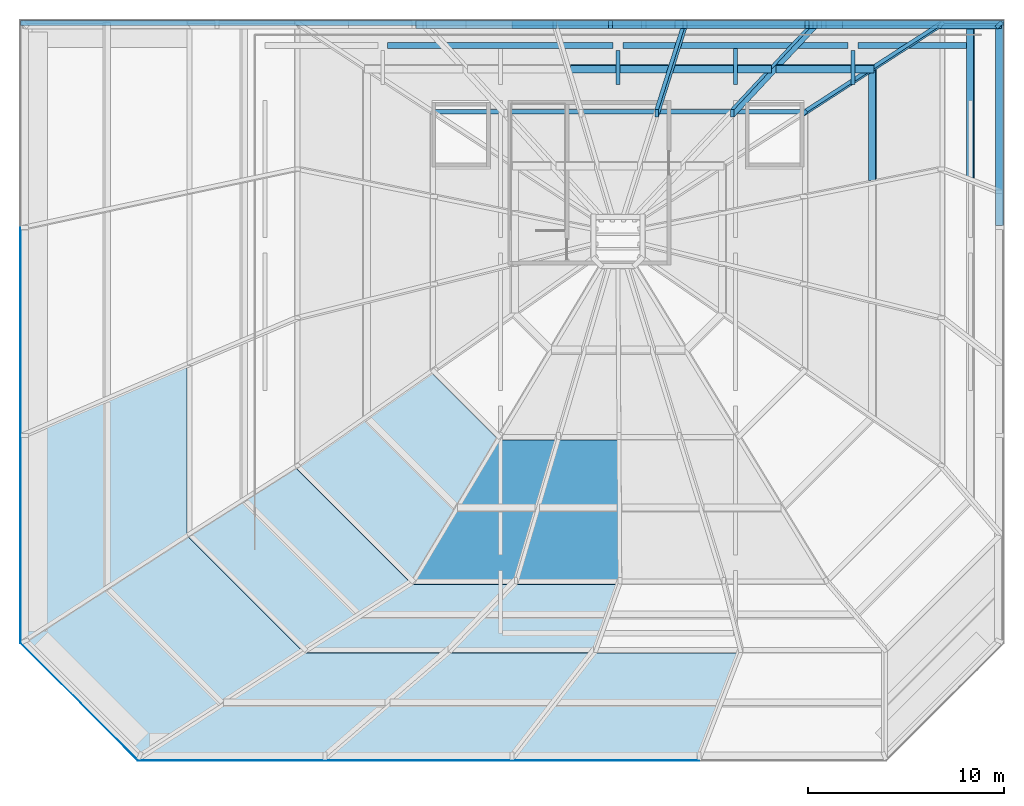
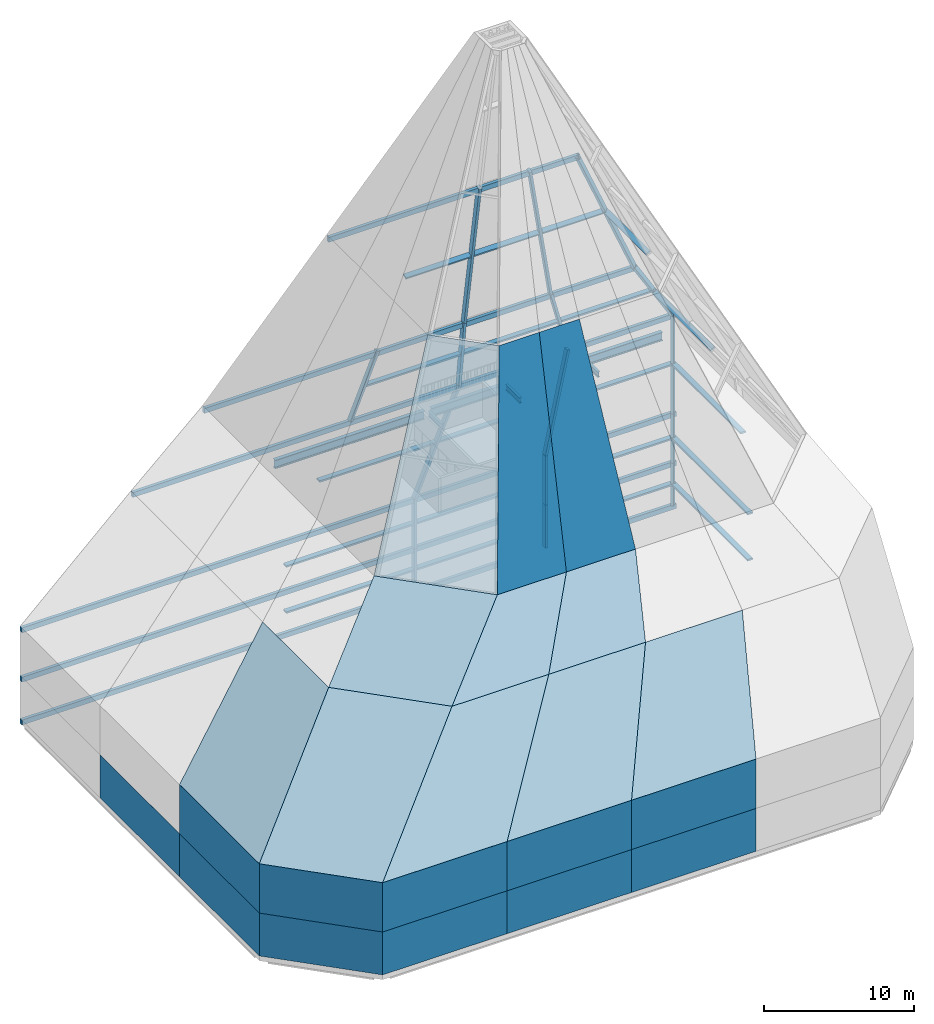
# One storey, part 4 of 7: 42 members, 22 plates, 6 beams.
"""IFC4 building model written with IfcOpenShell, lengths in metres."""

import ifcopenshell
import ifcopenshell.guid

model = None  # the IFC model being written
_history = None  # IfcOwnerHistory: only IFC2X3 demands one
_inside = {}  # id of a spatial element -> (the spatial element, [elements in it])
_under = {}  # id of a project, library or spatial element -> (it, [spatial elements below it])
_declared = {}  # id of a project -> (the project, [libraries it declares])
_typed = {}  # id of a type object -> (the type object, [elements of that type])
_made_of = {}  # id of a material, layer set ... -> (it, [elements and type objects made of it])


def new_model(schema):
    """Start an empty IFC model of exactly this schema.

    Asked for "IFC4X3", IfcOpenShell would pick the latest addendum, in which some entities
    have other attributes; the version numbers below select the first issue.
    IFC2X3 requires an IfcOwnerHistory on every rooted entity: one is made here for all.
    """
    global model, _history
    if schema == "IFC4X3":
        model = ifcopenshell.file(schema_version=(4, 3, 0, 0))
    else:
        model = ifcopenshell.file(schema=schema)
    _inside.clear()
    _under.clear()
    _declared.clear()
    _typed.clear()
    _made_of.clear()
    _history = None
    if model.schema == "IFC2X3":
        org = make("IfcOrganization", Name="unknown")
        user = make(
            "IfcPersonAndOrganization",
            ThePerson=make("IfcPerson", FamilyName="unknown"),
            TheOrganization=org,
        )
        app = make(
            "IfcApplication",
            ApplicationDeveloper=org,
            Version="unknown",
            ApplicationFullName="unknown",
            ApplicationIdentifier="unknown",
        )
        _history = make(
            "IfcOwnerHistory",
            OwningUser=user,
            OwningApplication=app,
            ChangeAction="ADDED",
            CreationDate=0,
        )
    return model


def make(cls, **values):
    """One entity of the class cls with the attributes given. An attribute that is None is left unset."""
    return model.create_entity(
        cls, **{name: value for name, value in values.items() if value is not None}
    )


def rooted(cls, **values):
    """An entity with a GlobalId (a new one), such as an element, a storey or a relation."""
    return make(cls, GlobalId=ifcopenshell.guid.new(), OwnerHistory=_history, **values)


def si_unit(unit_type, name, prefix=None):
    """IfcSIUnit, for example si_unit("LENGTHUNIT", "METRE", prefix="MILLI")."""
    return make("IfcSIUnit", UnitType=unit_type, Prefix=prefix, Name=name)


def assignment(units):
    """IfcUnitAssignment: the units of a project."""
    return None if units is None else make("IfcUnitAssignment", Units=units)


def point(xyz):
    """IfcCartesianPoint."""
    return None if xyz is None else make("IfcCartesianPoint", Coordinates=xyz)


def direction(xyz):
    """IfcDirection."""
    return None if xyz is None else make("IfcDirection", DirectionRatios=xyz)


def frame(location, z_axis=None, x_axis=None):
    """IfcAxis2Placement3D, a coordinate frame: its origin and axes. An axis left out is left unset."""
    return make(
        "IfcAxis2Placement3D",
        Location=point(location),
        Axis=direction(z_axis),
        RefDirection=direction(x_axis),
    )


def frame_2d(location, x_axis=None):
    """IfcAxis2Placement2D, a coordinate frame in the plane: its origin and x axis."""
    return make(
        "IfcAxis2Placement2D", Location=point(location), RefDirection=direction(x_axis)
    )


def origin():
    """The frame at (0, 0, 0) with its axes left unset."""
    return frame((0.0, 0.0, 0.0))


def origin_2d():
    """The frame at (0, 0) in the plane with its x axis left unset."""
    return frame_2d((0.0, 0.0))


def place(relative_to, where):
    """IfcLocalPlacement: puts the frame where relative to a parent placement (None: the world)."""
    return make(
        "IfcLocalPlacement", PlacementRelTo=relative_to, RelativePlacement=where
    )


def context(
    kind, dimensions, precision=None, world=None, true_north=None, identifier=None
):
    """IfcGeometricRepresentationContext, for example the 3D "Model" context."""
    return make(
        "IfcGeometricRepresentationContext",
        ContextIdentifier=identifier,
        ContextType=kind,
        CoordinateSpaceDimension=dimensions,
        Precision=precision,
        WorldCoordinateSystem=world,
        TrueNorth=true_north,
    )


def subcontext(parent, identifier, kind, view, scale=None):
    """IfcGeometricRepresentationSubContext, for example "Body" below "Model"."""
    return make(
        "IfcGeometricRepresentationSubContext",
        ContextIdentifier=identifier,
        ContextType=kind,
        ParentContext=parent,
        TargetScale=scale,
        TargetView=view,
    )


def project(units=None, contexts=None):
    """IfcProject with its units and contexts."""
    return rooted(
        "IfcProject",
        Name="project",
        RepresentationContexts=contexts,
        UnitsInContext=assignment(units),
    )


def spatial(cls, under=None, at=None, **own):
    """A site, building, storey or space (cls), placed at a placement, below another one or the project."""
    s = rooted(cls, ObjectPlacement=at, **own)
    if under is not None:
        _under.setdefault(under.id(), (under, []))[1].append(s)
    return s


def polyline(points):
    """IfcPolyline through the points."""
    return make("IfcPolyline", Points=[point(p) for p in points])


def profile(cls, at=None, kind="AREA", **sizes):
    """A parametric profile (cls). Its sizes go by their IFC names, for example OverallWidth=200.0."""
    return make(cls, ProfileType=kind, Position=at, **sizes)


def rectangle(**sizes):
    """IfcRectangleProfileDef."""
    return profile("IfcRectangleProfileDef", **sizes)


def i_section(**sizes):
    """IfcIShapeProfileDef."""
    return profile("IfcIShapeProfileDef", **sizes)


def outline(outer, holes=None, kind="AREA"):
    """IfcArbitraryClosedProfileDef: a profile drawn as a closed curve; with holes, ...WithVoids."""
    if holes is None:
        return make("IfcArbitraryClosedProfileDef", ProfileType=kind, OuterCurve=outer)
    return make(
        "IfcArbitraryProfileDefWithVoids",
        ProfileType=kind,
        OuterCurve=outer,
        InnerCurves=holes,
    )


def extrude(swept, where, along, depth):
    """IfcExtrudedAreaSolid: the profile swept, set in the frame where, extruded along a direction by depth."""
    return make(
        "IfcExtrudedAreaSolid",
        SweptArea=swept,
        Position=where,
        ExtrudedDirection=direction(along),
        Depth=depth,
    )


def shape(context_of_items, identifier, shape_type, items):
    """IfcShapeRepresentation: the items that make up one representation, for example the "Body"."""
    return make(
        "IfcShapeRepresentation",
        ContextOfItems=context_of_items,
        RepresentationIdentifier=identifier,
        RepresentationType=shape_type,
        Items=items,
    )


def material(Name=None, Category=None):
    """IfcMaterial."""
    return make("IfcMaterial", Name=Name, Category=Category)


def layer(
    of_material, thickness, ventilated=None, Name=None, Category=None, Priority=None
):
    """IfcMaterialLayer: one layer of a wall or slab, of a material (None: an air gap)."""
    return make(
        "IfcMaterialLayer",
        Material=of_material,
        LayerThickness=thickness,
        IsVentilated=ventilated,
        Name=Name,
        Category=Category,
        Priority=Priority,
    )


def layer_set(layers, Name=None):
    """IfcMaterialLayerSet."""
    return make("IfcMaterialLayerSet", MaterialLayers=layers, LayerSetName=Name)


def material_profile(
    of_material, cross_section, Name=None, Category=None, Priority=None
):
    """IfcMaterialProfile: a cross section and its material."""
    return make(
        "IfcMaterialProfile",
        Name=Name,
        Material=of_material,
        Profile=cross_section,
        Priority=Priority,
        Category=Category,
    )


def profile_set(profiles, Name=None, composite=None):
    """IfcMaterialProfileSet."""
    return make(
        "IfcMaterialProfileSet",
        Name=Name,
        MaterialProfiles=profiles,
        CompositeProfile=composite,
    )


def made_of(thing, what):
    """Note that an element or type object is made of a material, layer set ...; save() writes the relation."""
    if what is not None:
        _made_of.setdefault(what.id(), (what, []))[1].append(thing)
    return thing


def type_object(cls, material=None, **own):
    """A type object (cls), such as IfcWallType, which elements share."""
    return made_of(rooted(cls, **own), material)


def element(
    cls,
    number,
    at=None,
    inside=None,
    cuts=None,
    type_object=None,
    material=None,
    context=None,
    identifier="Body",
    shape_type=None,
    held_by="IfcProductDefinitionShape",
    body=None,
    shapes=None,
    **own,
):
    """One element of the class cls, such as IfcWall. Its Tag is "e" and its number.

    at: its placement. inside: the storey or other place that contains it. cuts: it is an
    opening in that element (IfcRelVoidsElement). A single representation is given by context,
    identifier, shape_type and body (its items); several are given by shapes. held_by: the class
    of the entity that holds the representations. save() writes the other relations.
    """
    e = rooted(cls, Tag="e%d" % number, ObjectPlacement=at, **own)
    if body is not None:
        shapes = [shape(context, identifier, shape_type, body)]
    if shapes is not None:
        e.Representation = make(held_by, Representations=shapes)
    if inside is not None:
        _inside.setdefault(inside.id(), (inside, []))[1].append(e)
    if cuts is not None:
        rooted(
            "IfcRelVoidsElement", RelatingBuildingElement=cuts, RelatedOpeningElement=e
        )
    if type_object is not None:
        _typed.setdefault(type_object.id(), (type_object, []))[1].append(e)
    return made_of(e, material)


def aggregate(whole, parts):
    """IfcRelAggregates: a whole, such as a stair, and the parts it consists of."""
    return rooted("IfcRelAggregates", RelatingObject=whole, RelatedObjects=parts)


def save(model, path):
    """Write the relations noted so far, then the file.

    IfcRelAggregates (storeys below a building ...), IfcRelContainedInSpatialStructure (elements
    in a storey), IfcRelDefinesByType, IfcRelAssociatesMaterial and IfcRelDeclares: one each for
    every whole, place, type object, material and project.
    """
    for whole, parts in _under.values():
        aggregate(whole, parts)
    for where, things in _inside.values():
        rooted(
            "IfcRelContainedInSpatialStructure",
            RelatedElements=things,
            RelatingStructure=where,
        )
    for kind, things in _typed.values():
        rooted("IfcRelDefinesByType", RelatedObjects=things, RelatingType=kind)
    for what, things in _made_of.values():
        rooted("IfcRelAssociatesMaterial", RelatedObjects=things, RelatingMaterial=what)
    for by, libraries in _declared.values():
        rooted("IfcRelDeclares", RelatingContext=by, RelatedDefinitions=libraries)
    model.write(path)


model = new_model("IFC4")

# Units and contexts
model_context = context("Model", 3, precision=1e-05, world=origin(), true_north=direction((0.0, 1.0)))
body_context = subcontext(model_context, "Body", "Model", "MODEL_VIEW")
ifc_project = project(units=[si_unit("LENGTHUNIT", "METRE"), si_unit("AREAUNIT", "SQUARE_METRE"), si_unit("VOLUMEUNIT", "CUBIC_METRE"), si_unit("PLANEANGLEUNIT", "RADIAN"), si_unit("MASSUNIT", "GRAM", prefix="KILO")], contexts=[model_context])

# Site, building, storey
site_placement = place(None, origin())
site = spatial("IfcSite", under=ifc_project, at=site_placement, CompositionType="ELEMENT")
building_placement = place(site_placement, origin())
building = spatial("IfcBuilding", under=site, at=building_placement, Name="Sorahane Residences", CompositionType="ELEMENT")
storey_placement = place(building_placement, frame((0.0, 0.0, 357.800048828125)))
storey = spatial("IfcBuildingStorey", under=building, at=storey_placement, Name="RF", CompositionType="ELEMENT", Elevation=357.800048828125)

# Members
ifc_material_1 = material(Name="Steel Q355B", Category="steel")
ifc_material_profile_1 = material_profile(ifc_material_1, rectangle(XDim=0.199951171875, YDim=0.39990234375, at=origin_2d()), Name="CROWN FRAME hip rib Steel Q355B 200x400")
ifc_profile_set_1 = profile_set([ifc_material_profile_1], Name="Steel Q355B")
member_type_1 = type_object("IfcMemberType", Name="CROWN FRAME hip rib Steel Q355B 200x400", PredefinedType="RAFTER", material=ifc_profile_set_1)
for number, where, z_axis, x_axis, name in (
    (1, (43.4580078125, 49.057861328125, -15.47998046875), (0.0, 0.0, 1.0), (0.707106781187, -0.707106781187, 0.0), "CROWN FRAME hip rib 1.10"),
    (2, (33.659912109375, 49.070068359375, -15.47998046875), (0.0, 0.0, 1.0), (1.0, 0.0, 0.0), "CROWN FRAME hip rib 1.11"),
    (3, (23.6201171875, 49.070068359375, -15.47998046875), (0.0, 0.0, 1.0), (1.0, 0.0, 0.0), "CROWN FRAME hip rib 1.12"),
):
    element("IfcMember", number, at=place(storey_placement, frame(where, z_axis=z_axis, x_axis=x_axis)), inside=storey, type_object=member_type_1, Name=name, PredefinedType="RAFTER", context=body_context, shape_type="SweptSolid", body=[
        extrude(rectangle(XDim=0.199951171875, YDim=0.39990234375, at=origin_2d()), origin(), (0.0, 0.0, 1.0), 3.47998046875),
    ])
for number, where, z_axis, x_axis, name in (
    (4, (43.4580078125, 49.057861328125, -12.0), (0.0, 0.0, 1.0), (0.707106781187, -0.707106781187, 0.0), "CROWN FRAME hip rib 2.10"),
    (5, (33.659912109375, 49.070068359375, -12.0), (0.0, 0.0, 1.0), (1.0, 0.0, 0.0), "CROWN FRAME hip rib 2.11"),
    (6, (23.6201171875, 49.070068359375, -12.0), (0.0, 0.0, 1.0), (1.0, 0.0, 0.0), "CROWN FRAME hip rib 2.12"),
):
    element("IfcMember", number, at=place(storey_placement, frame(where, z_axis=z_axis, x_axis=x_axis)), inside=storey, type_object=member_type_1, Name=name, PredefinedType="RAFTER", context=body_context, shape_type="SweptSolid", body=[
        extrude(rectangle(XDim=0.199951171875, YDim=0.39990234375, at=origin_2d()), origin(), (0.0, 0.0, 1.0), 4.0),
    ])
member_1_placement = place(storey_placement, frame((43.4580078125, 49.057861328125, -8.0), z_axis=(0.0, 0.0, 1.0), x_axis=(0.707106781187, -0.707106781187, 0.0)))
element("IfcMember", 7, at=member_1_placement, inside=storey, type_object=member_type_1, Name="CROWN FRAME hip rib 3.10", PredefinedType="RAFTER", context=body_context, shape_type="SweptSolid", body=[
    extrude(rectangle(XDim=0.199951171875, YDim=0.39990234375, at=origin_2d()), origin(), (0.0, 0.0, 1.0), 8.0),
])
member_2_placement = place(storey_placement, frame((33.659912109375, 49.070068359375, -8.0), z_axis=(0.207881604704, 0.0, 0.978153995251), x_axis=(0.978153995251, 0.0, -0.207881604704)))
element("IfcMember", 8, at=member_2_placement, inside=storey, type_object=member_type_1, Name="CROWN FRAME hip rib 3.11", PredefinedType="RAFTER", context=body_context, shape_type="SweptSolid", body=[
    extrude(rectangle(XDim=0.199951171875, YDim=0.39990234375, at=origin_2d()), origin(), (0.0, 0.0, 1.0), 8.1787109375),
])
member_3_placement = place(storey_placement, frame((23.6201171875, 49.070068359375, -8.0), z_axis=(0.391131124553, 0.0, 0.920334962612), x_axis=(0.920334962612, 0.0, -0.391131124553)))
element("IfcMember", 9, at=member_3_placement, inside=storey, type_object=member_type_1, Name="CROWN FRAME hip rib 3.12", PredefinedType="RAFTER", context=body_context, shape_type="SweptSolid", body=[
    extrude(rectangle(XDim=0.199951171875, YDim=0.39990234375, at=origin_2d()), origin(), (0.0, 0.0, 1.0), 8.6923828125),
])
member_4_placement = place(storey_placement, frame((43.492431640625, 49.057861328125, -0.124755859375), z_axis=(-0.514495755428, 0.0, 0.857492925713), x_axis=(0.606339062591, -0.707106781187, 0.363803437554)))
element("IfcMember", 10, at=member_4_placement, inside=storey, type_object=member_type_1, Name="CROWN FRAME hip rib 4.10", PredefinedType="RAFTER", context=body_context, shape_type="SweptSolid", body=[
    extrude(rectangle(XDim=0.199951171875, YDim=0.39990234375, at=origin_2d()), origin(), (0.0, 0.0, 1.0), 5.8310546875),
])
member_5_placement = place(storey_placement, frame((35.360107421875, 49.070068359375, 0.0), z_axis=(-0.251642704667, 0.0, 0.967820204991), x_axis=(0.967820204991, 0.0, 0.251642704667)))
element("IfcMember", 11, at=member_5_placement, inside=storey, type_object=member_type_1, Name="CROWN FRAME hip rib 4.11", PredefinedType="RAFTER", context=body_context, shape_type="SweptSolid", body=[
    extrude(rectangle(XDim=0.199951171875, YDim=0.39990234375, at=origin_2d()), origin(), (0.0, 0.0, 1.0), 5.166259765625),
])
member_6_placement = place(storey_placement, frame((27.02001953125, 49.070068359375, 0.0), z_axis=(0.079725876999, 0.0, 0.99681682597), x_axis=(0.99681682597, 0.0, -0.079725876999)))
element("IfcMember", 12, at=member_6_placement, inside=storey, type_object=member_type_1, Name="CROWN FRAME hip rib 4.12", PredefinedType="RAFTER", context=body_context, shape_type="SweptSolid", body=[
    extrude(rectangle(XDim=0.199951171875, YDim=0.39990234375, at=origin_2d()), origin(), (0.0, 0.0, 1.0), 5.015869140625),
])
member_7_placement = place(storey_placement, frame((18.679931640625, 49.070068359375, 0.0), z_axis=(0.387247791457, 0.0, 0.921975676475), x_axis=(0.921975676475, 0.0, -0.387247791457)))
element("IfcMember", 13, at=member_7_placement, inside=storey, type_object=member_type_1, Name="CROWN FRAME hip rib 4.13", PredefinedType="RAFTER", context=body_context, shape_type="SweptSolid", body=[
    extrude(rectangle(XDim=0.199951171875, YDim=0.39990234375, at=origin_2d()), origin(), (0.0, 0.0, 1.0), 5.423095703125),
])
member_8_placement = place(storey_placement, frame((40.505126953125, 49.093017578125, 4.837646484375), z_axis=(-0.425468874484, -0.275296414501, 0.862083592819), x_axis=(0.68162529979, -0.724103409136, 0.105172256627)))
element("IfcMember", 14, at=member_8_placement, inside=storey, type_object=member_type_1, Name="CROWN FRAME hip rib 5.10", PredefinedType="RAFTER", context=body_context, shape_type="SweptSolid", body=[
    extrude(rectangle(XDim=0.199951171875, YDim=0.39990234375, at=origin_2d()), origin(), (0.0, 0.0, 1.0), 16.471923828125),
])
member_9_placement = place(storey_placement, frame((34.06005859375, 49.080810546875, 4.929931640625), z_axis=(-0.272596510517, -0.292687877122, 0.916528749707), x_axis=(0.962128443685, -0.082943585457, 0.259671368241)))
element("IfcMember", 15, at=member_9_placement, inside=storey, type_object=member_type_1, Name="CROWN FRAME hip rib 5.11", PredefinedType="RAFTER", context=body_context, shape_type="SweptSolid", body=[
    extrude(rectangle(XDim=0.199951171875, YDim=0.39990234375, at=origin_2d()), origin(), (0.0, 0.0, 1.0), 15.4931640625),
])
member_10_placement = place(storey_placement, frame((27.419921875, 49.080810546875, 4.929931640625), z_axis=(-0.09603801048, -0.302802581338, 0.948202139461), x_axis=(0.995377667266, -0.029208804947, 0.091488497752)))
element("IfcMember", 16, at=member_10_placement, inside=storey, type_object=member_type_1, Name="CROWN FRAME hip rib 5.12", PredefinedType="RAFTER", context=body_context, shape_type="SweptSolid", body=[
    extrude(rectangle(XDim=0.199951171875, YDim=0.39990234375, at=origin_2d()), origin(), (0.0, 0.0, 1.0), 14.9755859375),
])
ifc_material_2 = material(Name="Steel Q355B", Category="steel")
ifc_material_profile_2 = material_profile(ifc_material_2, rectangle(XDim=0.139892578125, YDim=0.39990234375, at=origin_2d()), Name="CROWN FRAME purlin Steel Q355B 140x400")
ifc_profile_set_2 = profile_set([ifc_material_profile_2], Name="Steel Q355B")
member_type_2 = type_object("IfcMemberType", Name="CROWN FRAME purlin Steel Q355B 140x400", PredefinedType="PURLIN", material=ifc_profile_set_2)
member_11_placement = place(storey_placement, frame((43.469970703125, 38.804931640625, -13.739990234375), z_axis=(0.0, 1.0, 0.0), x_axis=(0.0, 0.0, 1.0)))
element("IfcMember", 17, at=member_11_placement, inside=storey, type_object=member_type_2, Name="CROWN FRAME purlin 1.9", PredefinedType="PURLIN", context=body_context, shape_type="SweptSolid", body=[
    extrude(rectangle(XDim=0.139892578125, YDim=0.39990234375, at=origin_2d()), origin(), (0.0, 0.0, 1.0), 10.375),
])
member_12_placement = place(storey_placement, frame((33.764892578125, 49.070068359375, -13.739990234375), z_axis=(1.0, 0.0, 0.0), x_axis=(0.0, 0.0, -1.0)))
element("IfcMember", 18, at=member_12_placement, inside=storey, type_object=member_type_2, Name="CROWN FRAME purlin 1.10", PredefinedType="PURLIN", context=body_context, shape_type="SweptSolid", body=[
    extrude(rectangle(XDim=0.139892578125, YDim=0.39990234375, at=origin_2d()), origin(), (0.0, 0.0, 1.0), 9.815185546875),
])
for number, where, z_axis, x_axis, name in (
    (19, (23.72509765625, 49.070068359375, -13.739990234375), (1.0, 0.0, 0.0), (0.0, 0.0, -1.0), "CROWN FRAME purlin 1.11"),
    (20, (13.68505859375, 49.070068359375, -13.739990234375), (1.0, 0.0, 0.0), (0.0, 0.0, -1.0), "CROWN FRAME purlin 1.12"),
):
    element("IfcMember", number, at=place(storey_placement, frame(where, z_axis=z_axis, x_axis=x_axis)), inside=storey, type_object=member_type_2, Name=name, PredefinedType="PURLIN", context=body_context, shape_type="SweptSolid", body=[
        extrude(rectangle(XDim=0.139892578125, YDim=0.39990234375, at=origin_2d()), origin(), (0.0, 0.0, 1.0), 9.829833984375),
    ])
member_13_placement = place(storey_placement, frame((43.469970703125, 38.804931640625, -10.0), z_axis=(0.0, 1.0, 0.0), x_axis=(0.0, 0.0, 1.0)))
element("IfcMember", 21, at=member_13_placement, inside=storey, type_object=member_type_2, Name="CROWN FRAME purlin 2.9", PredefinedType="PURLIN", context=body_context, shape_type="SweptSolid", body=[
    extrude(rectangle(XDim=0.139892578125, YDim=0.39990234375, at=origin_2d()), origin(), (0.0, 0.0, 1.0), 10.375),
])
member_14_placement = place(storey_placement, frame((33.764892578125, 49.070068359375, -10.0), z_axis=(1.0, 0.0, 0.0), x_axis=(0.0, 0.0, -1.0)))
element("IfcMember", 22, at=member_14_placement, inside=storey, type_object=member_type_2, Name="CROWN FRAME purlin 2.10", PredefinedType="PURLIN", context=body_context, shape_type="SweptSolid", body=[
    extrude(rectangle(XDim=0.139892578125, YDim=0.39990234375, at=origin_2d()), origin(), (0.0, 0.0, 1.0), 9.815185546875),
])
for number, where, z_axis, x_axis, name in (
    (23, (23.72509765625, 49.070068359375, -10.0), (1.0, 0.0, 0.0), (0.0, 0.0, -1.0), "CROWN FRAME purlin 2.11"),
    (24, (13.68505859375, 49.070068359375, -10.0), (1.0, 0.0, 0.0), (0.0, 0.0, -1.0), "CROWN FRAME purlin 2.12"),
):
    element("IfcMember", number, at=place(storey_placement, frame(where, z_axis=z_axis, x_axis=x_axis)), inside=storey, type_object=member_type_2, Name=name, PredefinedType="PURLIN", context=body_context, shape_type="SweptSolid", body=[
        extrude(rectangle(XDim=0.139892578125, YDim=0.39990234375, at=origin_2d()), origin(), (0.0, 0.0, 1.0), 9.829833984375),
    ])
member_15_placement = place(storey_placement, frame((43.469970703125, 39.73681640625, -4.0), z_axis=(0.0, 1.0, 0.0), x_axis=(0.0, 0.0, 1.0)))
element("IfcMember", 25, at=member_15_placement, inside=storey, type_object=member_type_2, Name="CROWN FRAME purlin 3.9", PredefinedType="PURLIN", context=body_context, shape_type="SweptSolid", body=[
    extrude(rectangle(XDim=0.139892578125, YDim=0.39990234375, at=origin_2d()), origin(), (0.0, 0.0, 1.0), 9.443115234375),
])
member_16_placement = place(storey_placement, frame((34.6298828125, 49.070068359375, -4.0), z_axis=(1.0, 0.0, 0.0), x_axis=(0.0, 0.0, -1.0)))
element("IfcMember", 26, at=member_16_placement, inside=storey, type_object=member_type_2, Name="CROWN FRAME purlin 3.10", PredefinedType="PURLIN", context=body_context, shape_type="SweptSolid", body=[
    extrude(rectangle(XDim=0.139892578125, YDim=0.39990234375, at=origin_2d()), origin(), (0.0, 0.0, 1.0), 8.9501953125),
])
for number, where, z_axis, x_axis, name in (
    (27, (25.43994140625, 49.070068359375, -4.0), (1.0, 0.0, 0.0), (0.0, 0.0, -1.0), "CROWN FRAME purlin 3.11"),
    (28, (16.25, 49.070068359375, -4.0), (1.0, 0.0, 0.0), (0.0, 0.0, -1.0), "CROWN FRAME purlin 3.12"),
):
    element("IfcMember", number, at=place(storey_placement, frame(where, z_axis=z_axis, x_axis=x_axis)), inside=storey, type_object=member_type_2, Name=name, PredefinedType="PURLIN", context=body_context, shape_type="SweptSolid", body=[
        extrude(rectangle(XDim=0.139892578125, YDim=0.39990234375, at=origin_2d()), origin(), (0.0, 0.0, 1.0), 8.949951171875),
    ])
member_17_placement = place(storey_placement, frame((42.002685546875, 41.23681640625, 2.381591796875), z_axis=(0.0, 1.0, 0.0), x_axis=(-0.514496405972, 0.0, 0.857492535386)))
element("IfcMember", 29, at=member_17_placement, inside=storey, type_object=member_type_2, Name="CROWN FRAME purlin 4.9", PredefinedType="PURLIN", context=body_context, shape_type="SweptSolid", body=[
    extrude(rectangle(XDim=0.139892578125, YDim=0.39990234375, at=origin_2d()), origin(), (0.0, 0.0, 1.0), 7.943115234375),
])
for number, where, z_axis, x_axis, name in (
    (30, (34.830078125, 49.070068359375, 2.5), (1.0, 0.0, 0.0), (0.0, 0.0, -1.0), "CROWN FRAME purlin 4.10"),
    (31, (27.340087890625, 49.070068359375, 2.5), (1.0, 0.0, 0.0), (0.0, 0.0, -1.0), "CROWN FRAME purlin 4.11"),
    (32, (19.85009765625, 49.070068359375, 2.5), (1.0, 0.0, 0.0), (0.0, 0.0, -1.0), "CROWN FRAME purlin 4.12"),
):
    element("IfcMember", number, at=place(storey_placement, frame(where, z_axis=z_axis, x_axis=x_axis)), inside=storey, type_object=member_type_2, Name=name, PredefinedType="PURLIN", context=body_context, shape_type="SweptSolid", body=[
        extrude(rectangle(XDim=0.139892578125, YDim=0.39990234375, at=origin_2d()), origin(), (0.0, 0.0, 1.0), 7.25),
    ])
member_18_placement = place(storey_placement, frame((36.989501953125, 41.11767578125, 11.998046875), z_axis=(0.0, 1.0, 0.0), x_axis=(-0.442579819819, 0.0, 0.89672911355)))
element("IfcMember", 33, at=member_18_placement, inside=storey, type_object=member_type_2, Name="CROWN FRAME purlin 5.9", PredefinedType="PURLIN", context=body_context, shape_type="SweptSolid", body=[
    extrude(rectangle(XDim=0.139892578125, YDim=0.39990234375, at=origin_2d()), origin(), (0.0, 0.0, 1.0), 5.794921875),
])
member_19_placement = place(storey_placement, frame((32.068359375, 46.8134765625, 12.030029296875), z_axis=(1.0, 0.0, 0.0), x_axis=(0.0, 0.304215953196, -0.95260309354)))
element("IfcMember", 34, at=member_19_placement, inside=storey, type_object=member_type_2, Name="CROWN FRAME purlin 5.10", PredefinedType="PURLIN", context=body_context, shape_type="SweptSolid", body=[
    extrude(rectangle(XDim=0.139892578125, YDim=0.39990234375, at=origin_2d()), origin(), (0.0, 0.0, 1.0), 5.00732421875),
])
member_20_placement = place(storey_placement, frame((26.82080078125, 46.8134765625, 12.030029296875), z_axis=(1.0, 0.0, 0.0), x_axis=(0.0, 0.304215953196, -0.95260309354)))
element("IfcMember", 35, at=member_20_placement, inside=storey, type_object=member_type_2, Name="CROWN FRAME purlin 5.11", PredefinedType="PURLIN", context=body_context, shape_type="SweptSolid", body=[
    extrude(rectangle(XDim=0.139892578125, YDim=0.39990234375, at=origin_2d()), origin(), (0.0, 0.0, 1.0), 5.007568359375),
])
member_21_placement = place(storey_placement, frame((21.573486328125, 46.8134765625, 12.030029296875), z_axis=(1.0, 0.0, 0.0), x_axis=(0.0, 0.304215953196, -0.95260309354)))
element("IfcMember", 36, at=member_21_placement, inside=storey, type_object=member_type_2, Name="CROWN FRAME purlin 5.12", PredefinedType="PURLIN", context=body_context, shape_type="SweptSolid", body=[
    extrude(rectangle(XDim=0.139892578125, YDim=0.39990234375, at=origin_2d()), origin(), (0.0, 0.0, 1.0), 5.00732421875),
])
ifc_material_3 = material(Name="Steel Q355B", Category="steel")
ifc_material_profile_3 = material_profile(ifc_material_3, rectangle(XDim=0.25, YDim=0.39990234375, at=origin_2d()), Name="CROWN FRAME ring beam Steel Q355B 250x400")
ifc_profile_set_3 = profile_set([ifc_material_profile_3], Name="Steel Q355B")
member_type_3 = type_object("IfcMemberType", Name="CROWN FRAME ring beam Steel Q355B 250x400", PredefinedType="BRACE", material=ifc_profile_set_3)
for number, where, z_axis, x_axis, name in (
    (37, (-6.5, 49.155029296875, -15.679931640625), (1.0, 0.0, 0.0), (0.0, 1.0, 0.0), "CROWN FRAME ring beam 1.5"),
    (38, (-6.5, 49.155029296875, -12.199951171875), (1.0, 0.0, 0.0), (0.0, 1.0, 0.0), "CROWN FRAME ring beam 2.5"),
    (39, (-6.5, 49.155029296875, -8.199951171875), (1.0, 0.0, 0.0), (0.0, 1.0, 0.0), "CROWN FRAME ring beam 3.5"),
):
    element("IfcMember", number, at=place(storey_placement, frame(where, z_axis=z_axis, x_axis=x_axis)), inside=storey, type_object=member_type_3, Name=name, PredefinedType="BRACE", context=body_context, shape_type="SweptSolid", body=[
        extrude(rectangle(XDim=0.25, YDim=0.39990234375, at=origin_2d()), origin(), (0.0, 0.0, 1.0), 50.199951171875),
    ])
member_22_placement = place(storey_placement, frame((2.0, 49.155029296875, -0.199951171875), z_axis=(1.0, 0.0, 0.0), x_axis=(0.0, 1.0, 0.0)))
element("IfcMember", 40, at=member_22_placement, inside=storey, type_object=member_type_3, Name="CROWN FRAME ring beam 4.5", PredefinedType="BRACE", context=body_context, shape_type="SweptSolid", body=[
    extrude(rectangle(XDim=0.25, YDim=0.39990234375, at=origin_2d()), origin(), (0.0, 0.0, 1.0), 41.699951171875),
])
member_23_placement = place(storey_placement, frame((7.5, 49.155029296875, 4.701416015625), z_axis=(1.0, 0.0, 0.0), x_axis=(0.0, 1.0, 0.0)))
element("IfcMember", 41, at=member_23_placement, inside=storey, type_object=member_type_3, Name="CROWN FRAME ring beam 5.5", PredefinedType="BRACE", context=body_context, shape_type="SweptSolid", body=[
    extrude(rectangle(XDim=0.25, YDim=0.39990234375, at=origin_2d()), origin(), (0.0, 0.0, 1.0), 33.199951171875),
])
member_24_placement = place(storey_placement, frame((14.416748046875, 44.6201171875, 18.9013671875), z_axis=(1.0, 0.0, 0.0), x_axis=(0.0, 1.0, 0.0)))
element("IfcMember", 42, at=member_24_placement, inside=storey, type_object=member_type_3, Name="CROWN FRAME ring beam 6.5", PredefinedType="BRACE", context=body_context, shape_type="SweptSolid", body=[
    extrude(rectangle(XDim=0.25, YDim=0.39990234375, at=origin_2d()), origin(), (0.0, 0.0, 1.0), 19.27490234375),
])

# Beams
ifc_material_4 = material(Name="Steel Q355B", Category="steel")
ifc_material_profile_4 = material_profile(ifc_material_4, i_section(OverallWidth=0.199951171875, OverallDepth=0.449951171875, WebThickness=0.009033203125, FlangeThickness=0.013916015625, FilletRadius=0.02001953125, at=origin_2d()), Name="HN 450x200x9x14")
ifc_profile_set_4 = profile_set([ifc_material_profile_4], Name="Steel Q355B")
beam_type_1 = type_object("IfcBeamType", Name="Steel floor beam HN 450x200x9x14 Q355B", PredefinedType="BEAM", material=ifc_profile_set_4)
beam_1_placement = place(storey_placement, frame((24.0, 46.0, -0.47509765625), z_axis=(0.0, 1.0, 0.0), x_axis=(-1.0, 0.0, 0.0)))
element("IfcBeam", 43, at=beam_1_placement, inside=storey, type_object=beam_type_1, Name="Beam RF 012", PredefinedType="BEAM", context=body_context, shape_type="SweptSolid", body=[
    extrude(i_section(OverallWidth=0.199951171875, OverallDepth=0.449951171875, WebThickness=0.009033203125, FlangeThickness=0.013916015625, FilletRadius=0.02001953125, at=origin_2d()), origin(), (0.0, 0.0, 1.0), 1.75),
])
beam_2_placement = place(storey_placement, frame((30.0, 46.0, -0.47509765625), z_axis=(0.0, 1.0, 0.0), x_axis=(-1.0, 0.0, 0.0)))
element("IfcBeam", 44, at=beam_2_placement, inside=storey, type_object=beam_type_1, Name="Beam RF 016", PredefinedType="BEAM", context=body_context, shape_type="SweptSolid", body=[
    extrude(i_section(OverallWidth=0.199951171875, OverallDepth=0.449951171875, WebThickness=0.009033203125, FlangeThickness=0.013916015625, FilletRadius=0.02001953125, at=origin_2d()), origin(), (0.0, 0.0, 1.0), 1.85009765625),
])
beam_3_placement = place(storey_placement, frame((36.0, 46.0, -0.47509765625), z_axis=(0.0, 1.0, 0.0), x_axis=(-1.0, 0.0, 0.0)))
element("IfcBeam", 45, at=beam_3_placement, inside=storey, type_object=beam_type_1, Name="Beam RF 018", PredefinedType="BEAM", context=body_context, shape_type="SweptSolid", body=[
    extrude(i_section(OverallWidth=0.199951171875, OverallDepth=0.449951171875, WebThickness=0.009033203125, FlangeThickness=0.013916015625, FilletRadius=0.02001953125, at=origin_2d()), origin(), (0.0, 0.0, 1.0), 1.75),
])
ifc_material_5 = material(Name="Steel Q355B", Category="steel")
ifc_material_profile_5 = material_profile(ifc_material_5, i_section(OverallWidth=0.300048828125, OverallDepth=0.699951171875, WebThickness=0.012939453125, FlangeThickness=0.02392578125, FilletRadius=0.028076171875, at=origin_2d()), Name="HN 700x300x13x24")
ifc_profile_set_5 = profile_set([ifc_material_profile_5], Name="Steel Q355B")
beam_type_2 = type_object("IfcBeamType", Name="Steel floor beam HN 700x300x13x24 Q355B", PredefinedType="BEAM", material=ifc_profile_set_5)
for number, where, z_axis, x_axis, name in (
    (46, (12.25, 48.0, -0.60009765625), (1.0, 0.0, 0.0), (0.0, 1.0, 0.0), "Beam RF 000"),
    (47, (24.25, 48.0, -0.60009765625), (1.0, 0.0, 0.0), (0.0, 1.0, 0.0), "Beam RF 001"),
):
    element("IfcBeam", number, at=place(storey_placement, frame(where, z_axis=z_axis, x_axis=x_axis)), inside=storey, type_object=beam_type_2, Name=name, PredefinedType="BEAM", context=body_context, shape_type="SweptSolid", body=[
        extrude(i_section(OverallWidth=0.300048828125, OverallDepth=0.699951171875, WebThickness=0.012939453125, FlangeThickness=0.02392578125, FilletRadius=0.028076171875, at=origin_2d()), origin(), (0.0, 0.0, 1.0), 11.5),
    ])
beam_4_placement = place(storey_placement, frame((36.25, 48.0, -0.60009765625), z_axis=(1.0, 0.0, 0.0), x_axis=(0.0, 1.0, 0.0)))
element("IfcBeam", 48, at=beam_4_placement, inside=storey, type_object=beam_type_2, Name="Beam RF 003", PredefinedType="BEAM", context=body_context, shape_type="SweptSolid", body=[
    extrude(i_section(OverallWidth=0.300048828125, OverallDepth=0.699951171875, WebThickness=0.012939453125, FlangeThickness=0.02392578125, FilletRadius=0.028076171875, at=origin_2d()), origin(), (0.0, 0.0, 1.0), 5.75),
])

# Plates
ifc_material_6 = material(Name="Laminated low-iron glass", Category="glass")
ifc_layer = layer(ifc_material_6, 0.030029296875)
ifc_layer_set = layer_set([ifc_layer], Name="Glass point facet laminated low-iron glass 30")
plate_type = type_object("IfcPlateType", Name="Glass point facet laminated low-iron glass 30", PredefinedType="SHEET", material=ifc_layer_set)
plate_1_placement = place(storey_placement, frame((-6.5, 17.5, -15.47998046875), z_axis=(-0.707106781187, -0.707106781187, 0.0), x_axis=(0.707106781187, -0.707106781187, 0.0)))
element("IfcPlate", 49, at=plate_1_placement, inside=storey, type_object=plate_type, Name="Glass point facet 1.1", PredefinedType="SHEET", context=body_context, shape_type="SweptSolid", body=[
    extrude(outline(polyline([(0.0, 0.0), (8.485281374238571, 0.0), (8.485281374238571, 3.47998046875), (0.0, 3.47998046875), (0.0, 0.0)])), origin(), (0.0, 0.0, -1.0), 0.030029296875),
])
for number, where, z_axis, x_axis, name in (
    (50, (-0.5, 11.5, -15.47998046875), (0.0, -1.0, 0.0), (1.0, 0.0, 0.0), "Glass point facet 1.2"),
    (51, (9.050048828125, 11.5, -15.47998046875), (0.0, -1.0, 0.0), (1.0, 0.0, 0.0), "Glass point facet 1.3"),
):
    element("IfcPlate", number, at=place(storey_placement, frame(where, z_axis=z_axis, x_axis=x_axis)), inside=storey, type_object=plate_type, Name=name, PredefinedType="SHEET", context=body_context, shape_type="SweptSolid", body=[
        extrude(outline(polyline([(0.0, 0.0), (9.550048828125, 0.0), (9.550048828125, 3.47998046875), (0.0, 3.47998046875), (0.0, 0.0)])), origin(), (0.0, 0.0, -1.0), 0.030029296875),
    ])
plate_2_placement = place(storey_placement, frame((18.60009765625, 11.5, -15.47998046875), z_axis=(0.0, -1.0, 0.0), x_axis=(1.0, 0.0, 0.0)))
element("IfcPlate", 52, at=plate_2_placement, inside=storey, type_object=plate_type, Name="Glass point facet 1.4", PredefinedType="SHEET", context=body_context, shape_type="SweptSolid", body=[
    extrude(outline(polyline([(0.0, 0.0), (9.5498046875, 0.0), (9.5498046875, 3.47998046875), (0.0, 3.47998046875), (0.0, 0.0)])), origin(), (0.0, 0.0, -1.0), 0.030029296875),
])
plate_3_placement = place(storey_placement, frame((-6.5, 38.699951171875, -15.47998046875), z_axis=(-1.0, 0.0, 0.0), x_axis=(0.0, -1.0, 0.0)))
element("IfcPlate", 53, at=plate_3_placement, inside=storey, type_object=plate_type, Name="Glass point facet 1.16", PredefinedType="SHEET", context=body_context, shape_type="SweptSolid", body=[
    extrude(outline(polyline([(0.0, 0.0), (10.599853515625, 0.0), (10.599853515625, 3.47998046875), (0.0, 3.47998046875), (0.0, 0.0)])), origin(), (0.0, 0.0, -1.0), 0.030029296875),
])
plate_4_placement = place(storey_placement, frame((-6.5, 28.10009765625, -15.47998046875), z_axis=(-1.0, 0.0, 0.0), x_axis=(0.0, -1.0, 0.0)))
element("IfcPlate", 54, at=plate_4_placement, inside=storey, type_object=plate_type, Name="Glass point facet 1.17", PredefinedType="SHEET", context=body_context, shape_type="SweptSolid", body=[
    extrude(outline(polyline([(0.0, 0.0), (10.60009765625, 0.0), (10.60009765625, 3.47998046875), (0.0, 3.47998046875), (0.0, 0.0)])), origin(), (0.0, 0.0, -1.0), 0.030029296875),
])
plate_5_placement = place(storey_placement, frame((-6.5, 17.5, -12.0), z_axis=(-0.707106781187, -0.707106781187, 0.0), x_axis=(0.707106781187, -0.707106781187, 0.0)))
element("IfcPlate", 55, at=plate_5_placement, inside=storey, type_object=plate_type, Name="Glass point facet 2.1", PredefinedType="SHEET", context=body_context, shape_type="SweptSolid", body=[
    extrude(outline(polyline([(0.0, 0.0), (8.485281374238571, 0.0), (8.485281374238571, 4.000000000000001), (0.0, 4.000000000000001), (0.0, 0.0)])), origin(), (0.0, 0.0, -1.0), 0.030029296875),
])
for number, where, z_axis, x_axis, name in (
    (56, (-0.5, 11.5, -12.0), (0.0, -1.0, 0.0), (1.0, 0.0, 0.0), "Glass point facet 2.2"),
    (57, (9.050048828125, 11.5, -12.0), (0.0, -1.0, 0.0), (1.0, 0.0, 0.0), "Glass point facet 2.3"),
):
    element("IfcPlate", number, at=place(storey_placement, frame(where, z_axis=z_axis, x_axis=x_axis)), inside=storey, type_object=plate_type, Name=name, PredefinedType="SHEET", context=body_context, shape_type="SweptSolid", body=[
        extrude(outline(polyline([(0.0, 0.0), (9.550048828125, 0.0), (9.550048828125, 4.0), (0.0, 4.0), (0.0, 0.0)])), origin(), (0.0, 0.0, -1.0), 0.030029296875),
    ])
plate_6_placement = place(storey_placement, frame((18.60009765625, 11.5, -12.0), z_axis=(0.0, -1.0, 0.0), x_axis=(1.0, 0.0, 0.0)))
element("IfcPlate", 58, at=plate_6_placement, inside=storey, type_object=plate_type, Name="Glass point facet 2.4", PredefinedType="SHEET", context=body_context, shape_type="SweptSolid", body=[
    extrude(outline(polyline([(0.0, 0.0), (9.5498046875, 0.0), (9.5498046875, 4.0), (0.0, 4.0), (0.0, 0.0)])), origin(), (0.0, 0.0, -1.0), 0.030029296875),
])
plate_7_placement = place(storey_placement, frame((-6.5, 28.10009765625, -12.0), z_axis=(-1.0, 0.0, 0.0), x_axis=(0.0, -1.0, 0.0)))
element("IfcPlate", 59, at=plate_7_placement, inside=storey, type_object=plate_type, Name="Glass point facet 2.17", PredefinedType="SHEET", context=body_context, shape_type="SweptSolid", body=[
    extrude(outline(polyline([(0.0, 0.0), (10.60009765625, 0.0), (10.60009765625, 4.0), (0.0, 4.0), (0.0, 0.0)])), origin(), (0.0, 0.0, -1.0), 0.030029296875),
])
plate_8_placement = place(storey_placement, frame((-6.5, 17.5, -8.0), z_axis=(-0.444444444444, -0.444444444444, 0.777777777778), x_axis=(0.707106781187, -0.707106781187, 0.0)))
element("IfcPlate", 60, at=plate_8_placement, inside=storey, type_object=plate_type, Name="Glass point facet 3.1", PredefinedType="SHEET", context=body_context, shape_type="SweptSolid", body=[
    extrude(outline(polyline([(0.0, 0.0), (8.485281374238571, 0.0), (10.606601717798213, 12.727922061357857), (2.121320343559643, 12.727922061357855), (0.0, 0.0)])), origin(), (0.0, 0.0, -1.0), 0.030029296875),
])
plate_9_placement = place(storey_placement, frame((-0.5, 11.5, -8.0), z_axis=(0.0, -0.824041924199, 0.566528822887), x_axis=(1.0, 0.0, 0.0)))
element("IfcPlate", 61, at=plate_9_placement, inside=storey, type_object=plate_type, Name="Glass point facet 3.2", PredefinedType="SHEET", context=body_context, shape_type="SweptSolid", body=[
    extrude(outline(polyline([(0.0, 0.0), (9.550048828125, 0.0), (15.925048828125, 9.708243919473798), (8.5, 9.708243919473798), (0.0, 0.0)])), origin(), (0.0, 0.0, -1.0), 0.030029296875),
])
plate_10_placement = place(storey_placement, frame((9.050048828125, 11.5, -8.0), z_axis=(0.0, -0.824041924199, 0.566528822887), x_axis=(1.0, 0.0, 0.0)))
element("IfcPlate", 62, at=plate_10_placement, inside=storey, type_object=plate_type, Name="Glass point facet 3.3", PredefinedType="SHEET", context=body_context, shape_type="SweptSolid", body=[
    extrude(outline(polyline([(0.0, 0.0), (9.550048828125, 0.0), (13.800048828125, 9.708243919473798), (6.375, 9.708243919473798), (0.0, 0.0)])), origin(), (0.0, 0.0, -1.0), 0.030029296875),
])
plate_11_placement = place(storey_placement, frame((18.60009765625, 11.5, -8.0), z_axis=(0.0, -0.824041924199, 0.566528822887), x_axis=(1.0, 0.0, 0.0)))
element("IfcPlate", 63, at=plate_11_placement, inside=storey, type_object=plate_type, Name="Glass point facet 3.4", PredefinedType="SHEET", context=body_context, shape_type="SweptSolid", body=[
    extrude(outline(polyline([(0.0, 0.0), (9.5498046875, 0.0), (11.6748046875, 9.7082439194738), (4.25, 9.7082439194738), (0.0, 0.0)])), origin(), (0.0, 0.0, -1.0), 0.030029296875),
])
plate_12_placement = place(storey_placement, frame((-6.5, 28.10009765625, -8.0), z_axis=(-0.685364699005, 0.0, 0.728199992693), x_axis=(0.0, -1.0, 0.0)))
element("IfcPlate", 64, at=plate_12_placement, inside=storey, type_object=plate_type, Name="Glass point facet 3.17", PredefinedType="SHEET", context=body_context, shape_type="SweptSolid", body=[
    extrude(outline(polyline([(0.0, 0.0), (10.60009765625, 0.0), (5.10009765625, 11.672617529928752), (-3.66650390625, 11.672617529928752), (0.0, 0.0)])), origin(), (0.0, 0.0, -1.0), 0.030029296875),
])
plate_13_placement = place(storey_placement, frame((2.0, 23.0, 0.0), z_axis=(-0.436852028331, -0.436852028331, 0.786333650995), x_axis=(0.707106781187, -0.707106781187, 0.0)))
element("IfcPlate", 65, at=plate_13_placement, inside=storey, type_object=plate_type, Name="Glass point facet 4.1", PredefinedType="SHEET", context=body_context, shape_type="SweptSolid", body=[
    extrude(outline(polyline([(0.0, 0.0), (8.485281374238571, 0.0), (9.899494936611665, 8.093207028119323), (1.4142135623730954, 8.093207028119322), (0.0, 0.0)])), origin(), (0.0, 0.0, -1.0), 0.030029296875),
])
plate_14_placement = place(storey_placement, frame((8.0, 17.0, 0.0), z_axis=(0.0, -0.819231920519, 0.573462344363), x_axis=(1.0, 0.0, 0.0)))
element("IfcPlate", 66, at=plate_14_placement, inside=storey, type_object=plate_type, Name="Glass point facet 4.2", PredefinedType="SHEET", context=body_context, shape_type="SweptSolid", body=[
    extrude(outline(polyline([(0.0, 0.0), (7.425048828125, 0.0), (10.800048828125, 6.103277807866851), (5.5, 6.103277807866851), (0.0, 0.0)])), origin(), (0.0, 0.0, -1.0), 0.030029296875),
])
plate_15_placement = place(storey_placement, frame((15.425048828125, 17.0, 0.0), z_axis=(0.0, -0.819231920519, 0.573462344363), x_axis=(1.0, 0.0, 0.0)))
element("IfcPlate", 67, at=plate_15_placement, inside=storey, type_object=plate_type, Name="Glass point facet 4.3", PredefinedType="SHEET", context=body_context, shape_type="SweptSolid", body=[
    extrude(outline(polyline([(0.0, 0.0), (7.425048828125, 0.0), (8.675048828125, 6.103277807866851), (3.375, 6.103277807866851), (0.0, 0.0)])), origin(), (0.0, 0.0, -1.0), 0.030029296875),
])
plate_16_placement = place(storey_placement, frame((7.5, 26.5, 5.0), z_axis=(-0.61001761646, -0.61001761646, 0.5057242482), x_axis=(0.707106781187, -0.707106781187, 0.0)))
element("IfcPlate", 68, at=plate_16_placement, inside=storey, type_object=plate_type, Name="Glass point facet 5.1", PredefinedType="SHEET", context=body_context, shape_type="SweptSolid", body=[
    extrude(outline(polyline([(0.0, 0.0), (8.485281374238571, 0.0), (6.380015945388486, 16.459986556493515), (1.4575445687397512, 16.459986556493515), (0.0, 0.0)])), origin(), (0.0, 0.0, -1.0), 0.030029296875),
])
plate_17_placement = place(storey_placement, frame((13.5, 20.5, 5.0), z_axis=(0.0, -0.88745251213, 0.460899163281), x_axis=(1.0, 0.0, 0.0)))
element("IfcPlate", 69, at=plate_17_placement, inside=storey, type_object=plate_type, Name="Glass point facet 5.2", PredefinedType="SHEET", context=body_context, shape_type="SweptSolid", body=[
    extrude(outline(polyline([(0.0, 0.0), (5.300048828125, 0.0), (7.475830078125, 16.000801144599606), (4.3974609375, 16.000801144599606), (0.0, 0.0)])), origin(), (0.0, 0.0, -1.0), 0.030029296875),
])
plate_18_placement = place(storey_placement, frame((18.800048828125, 20.5, 5.0), z_axis=(0.0, -0.88745251213, 0.460899163281), x_axis=(1.0, 0.0, 0.0)))
element("IfcPlate", 70, at=plate_18_placement, inside=storey, type_object=plate_type, Name="Glass point facet 5.3", PredefinedType="SHEET", context=body_context, shape_type="SweptSolid", body=[
    extrude(outline(polyline([(0.0, 0.0), (5.300048828125, 0.0), (5.254150390625, 16.000801144599606), (2.17578125, 16.000801144599606), (0.0, 0.0)])), origin(), (0.0, 0.0, -1.0), 0.030029296875),
])

save(model, "model.ifc")
